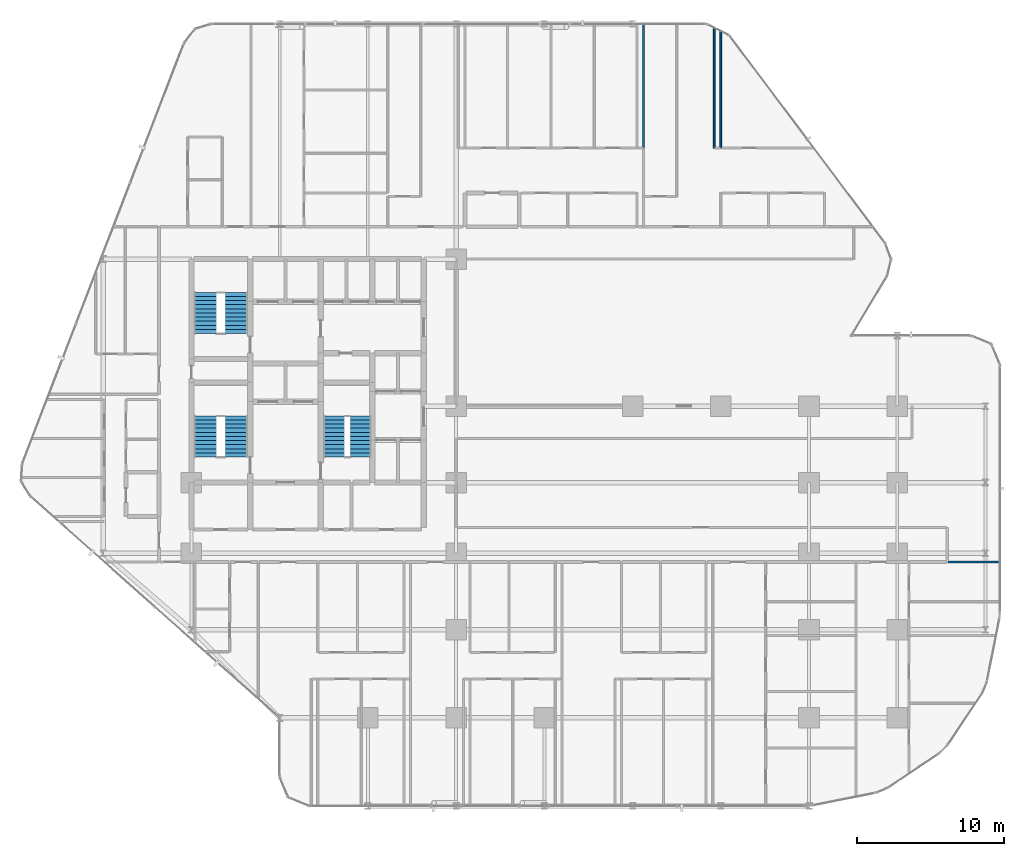
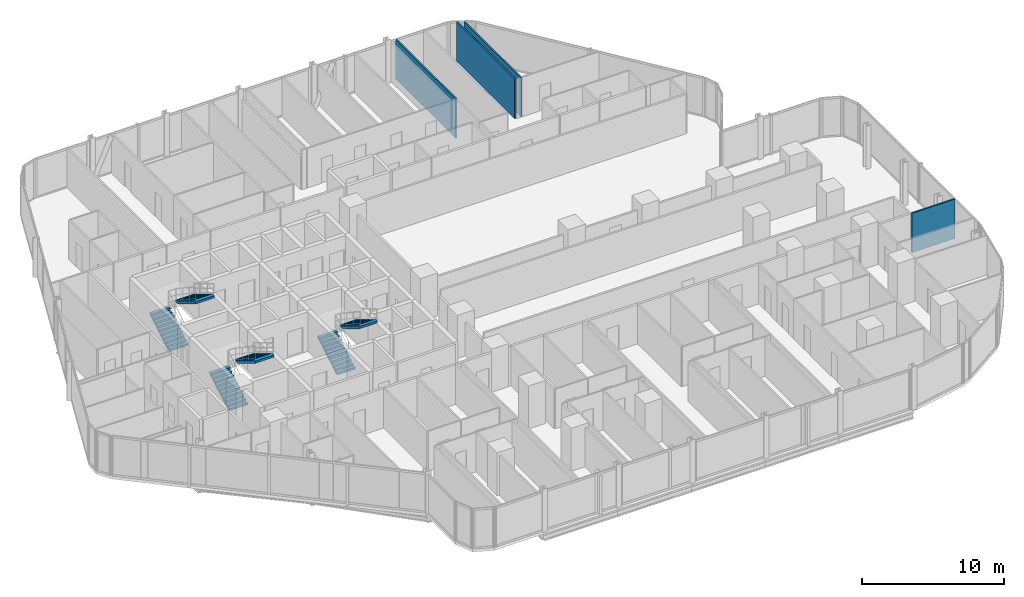
# One storey, part 33 of 35: 6 stair flights, 4 walls, 3 elements without a shape of their own.
"""IFC4 building model written with IfcOpenShell, lengths in metres."""

from ifc_helpers import new_model, si_unit, direction, frame, frame_2d, origin, place, context, subcontext, project, spatial, polyline, rectangle, outline, extrude, material, layer, layer_set, type_object, element, aggregate, save


model = new_model("IFC4")

# Units and contexts
model_context = context("Model", 3, precision=1e-05, world=origin(), true_north=direction((0.0, 1.0)))
body_context = subcontext(model_context, "Body", "Model", "MODEL_VIEW")
ifc_project = project(units=[si_unit("LENGTHUNIT", "METRE"), si_unit("AREAUNIT", "SQUARE_METRE"), si_unit("VOLUMEUNIT", "CUBIC_METRE"), si_unit("PLANEANGLEUNIT", "RADIAN"), si_unit("MASSUNIT", "GRAM", prefix="KILO")], contexts=[model_context])

# Site, building, storey
site_placement = place(None, origin())
site = spatial("IfcSite", under=ifc_project, at=site_placement, CompositionType="ELEMENT")
building_placement = place(site_placement, origin())
building = spatial("IfcBuilding", under=site, at=building_placement, Name="Keshet Zoharim Tower", CompositionType="ELEMENT")
storey_placement = place(building_placement, frame((0.0, 0.0, 24.0)))
storey = spatial("IfcBuildingStorey", under=building, at=storey_placement, Name="L04", CompositionType="ELEMENT", Elevation=24.0)

# Walls
ifc_material_1 = material(Name="Gypsum Plasterboard", Category="gypsum")
ifc_layer_1 = layer(ifc_material_1, 0.1201171875)
ifc_layer_set_1 = layer_set([ifc_layer_1], Name="Gypsum Plasterboard")
wall_type_1 = type_object("IfcWallType", Name="WL-PART-120", PredefinedType="PARTITIONING", material=ifc_layer_set_1)
wall_1_placement = place(storey_placement, frame((45.75, 45.449951171875, 0.0), z_axis=(0.0, 0.0, 1.0), x_axis=(0.0, 1.0, 0.0)))
element("IfcWall", 1, at=wall_1_placement, inside=storey, type_object=wall_type_1, Name="L04 Interior Wall 097", PredefinedType="PARTITIONING", context=body_context, shape_type="SweptSolid", body=[
    extrude(rectangle(XDim=8.43994140625, YDim=0.1201171875, at=frame_2d((4.219970703125, 0.0))), origin(), (0.0, 0.0, 1.0), 3.385009765625),
])
wall_2_placement = place(storey_placement, frame((50.550048828125, 45.449951171875, 0.0), z_axis=(0.0, 0.0, 1.0), x_axis=(0.0, 1.0, 0.0)))
element("IfcWall", 2, at=wall_2_placement, inside=storey, type_object=wall_type_1, Name="L04 Interior Wall 104", PredefinedType="PARTITIONING", context=body_context, shape_type="SweptSolid", body=[
    extrude(rectangle(XDim=8.1650390625, YDim=0.1201171875, at=frame_2d((4.08251953125, 0.0))), origin(), (0.0, 0.0, 1.0), 3.385009765625),
])
wall_3_placement = place(storey_placement, frame((51.0, 45.449951171875, 0.0), z_axis=(0.0, 0.0, 1.0), x_axis=(0.0, 1.0, 0.0)))
element("IfcWall", 3, at=wall_3_placement, inside=storey, type_object=wall_type_1, Name="L04 Interior Wall 106", PredefinedType="PARTITIONING", context=body_context, shape_type="SweptSolid", body=[
    extrude(rectangle(XDim=7.93994140625, YDim=0.1201171875, at=frame_2d((3.969970703125, 0.0))), origin(), (0.0, 0.0, 1.0), 3.385009765625),
])
ifc_layer_2 = layer(ifc_material_1, 0.1201171875)
ifc_layer_set_2 = layer_set([ifc_layer_2], Name="Gypsum Plasterboard")
wall_type_2 = type_object("IfcWallType", Name="WL-WET-120", PredefinedType="PARTITIONING", material=ifc_layer_set_2)
wall_4_placement = place(storey_placement, frame((66.469970703125, 17.300048828125, 0.0), z_axis=(0.0, 0.0, 1.0), x_axis=(1.0, 0.0, 0.0)))
element("IfcWall", 4, at=wall_4_placement, inside=storey, type_object=wall_type_2, Name="L04 Interior Wall 162", PredefinedType="PARTITIONING", context=body_context, shape_type="SweptSolid", body=[
    extrude(rectangle(XDim=3.52001953125, YDim=0.1201171875, at=frame_2d((1.760009765625, 0.0))), origin(), (0.0, 0.0, 1.0), 3.385009765625),
])

# Stair, stair flights
ifc_material_2 = material(Name="Concrete C50/60", Category="concrete")
stair_type = type_object("IfcStairType", Name="STR-EXIT-135", PredefinedType="HALF_TURN_STAIR", material=ifc_material_2)
stair_1_placement = place(storey_placement, origin())
stair_1 = element("IfcStair", 5, at=stair_1_placement, inside=storey, type_object=stair_type, Name="L04 Enclosed Exit Stair ST-01", PredefinedType="HALF_TURN_STAIR")
stair_flight_type_1 = type_object("IfcStairFlightType", Name="FLT-PRE-135", PredefinedType="STRAIGHT", material=ifc_material_2)
stair_flight_1_placement = place(storey_placement, frame((15.945068359375, 24.43994140625, 0.0), z_axis=(0.0, 0.0, 1.0), x_axis=(0.0, 1.0, 0.0)))
stair_flight_1 = element("IfcStairFlight", 6, at=stair_flight_1_placement, type_object=stair_flight_type_1, Name="ST-01 flight 1", NumberOfRisers=11, NumberOfTreads=10, PredefinedType="STRAIGHT", RiserHeight=0.168182, TreadLength=0.28, context=body_context, shape_type="SweptSolid", body=[
    extrude(outline(polyline([(0.0, 0.0), (0.0, 0.168212890625), (0.280029296875, 0.168212890625), (0.280029296875, 0.33642578125), (0.56005859375, 0.33642578125), (0.56005859375, 0.504638671875), (0.840087890625, 0.504638671875), (0.840087890625, 0.672607421875), (1.1201171875, 0.672607421875), (1.1201171875, 0.8408203125), (1.39990234375, 0.8408203125), (1.39990234375, 1.009033203125), (1.679931640625, 1.009033203125), (1.679931640625, 1.17724609375), (1.9599609375, 1.17724609375), (1.9599609375, 1.345458984375), (2.239990234375, 1.345458984375), (2.239990234375, 1.513671875), (2.52001953125, 1.513671875), (2.52001953125, 1.681884765625), (2.800048828125, 1.681884765625), (2.800048828125, 1.85009765625), (2.800048828125, 1.495361328125), (0.310546875, 0.0), (0.0, 0.0)])), frame((0.0, 0.76513671875, 0.0), z_axis=(0.0, -1.0, 0.0), x_axis=(1.0, 0.0, 0.0)), (0.0, 0.0, 1.0), 1.530029296875),
])
stair_flight_2_placement = place(storey_placement, frame((18.054931640625, 27.239990234375, 1.85009765625), z_axis=(0.0, 0.0, 1.0), x_axis=(0.0, -1.0, 0.0)))
stair_flight_2 = element("IfcStairFlight", 7, at=stair_flight_2_placement, type_object=stair_flight_type_1, Name="ST-01 flight 2", NumberOfRisers=11, NumberOfTreads=10, PredefinedType="STRAIGHT", RiserHeight=0.168182, TreadLength=0.28, context=body_context, shape_type="SweptSolid", body=[
    extrude(outline(polyline([(0.0, 0.0), (0.0, 0.168212890625), (0.280029296875, 0.168212890625), (0.280029296875, 0.33642578125), (0.56005859375, 0.33642578125), (0.56005859375, 0.504638671875), (0.840087890625, 0.504638671875), (0.840087890625, 0.672607421875), (1.1201171875, 0.672607421875), (1.1201171875, 0.8408203125), (1.39990234375, 0.8408203125), (1.39990234375, 1.009033203125), (1.679931640625, 1.009033203125), (1.679931640625, 1.17724609375), (1.9599609375, 1.17724609375), (1.9599609375, 1.345458984375), (2.239990234375, 1.345458984375), (2.239990234375, 1.513671875), (2.52001953125, 1.513671875), (2.52001953125, 1.681884765625), (2.800048828125, 1.681884765625), (2.800048828125, 1.85009765625), (2.800048828125, 1.495361328125), (0.310546875, 0.0), (0.0, 0.0)])), frame((0.0, 0.76513671875, 0.0), z_axis=(0.0, -1.0, 0.0), x_axis=(1.0, 0.0, 0.0)), (0.0, 0.0, 1.0), 1.530029296875),
])
aggregate(stair_1, [stair_flight_1, stair_flight_2])

stair_2_placement = place(storey_placement, origin())
stair_2 = element("IfcStair", 8, at=stair_2_placement, inside=storey, type_object=stair_type, Name="L04 Enclosed Exit Stair ST-02", PredefinedType="HALF_TURN_STAIR")
stair_flight_3_placement = place(storey_placement, frame((15.945068359375, 32.840087890625, 0.0), z_axis=(0.0, 0.0, 1.0), x_axis=(0.0, 1.0, 0.0)))
stair_flight_3 = element("IfcStairFlight", 9, at=stair_flight_3_placement, type_object=stair_flight_type_1, Name="ST-02 flight 1", NumberOfRisers=11, NumberOfTreads=10, PredefinedType="STRAIGHT", RiserHeight=0.168182, TreadLength=0.28, context=body_context, shape_type="SweptSolid", body=[
    extrude(outline(polyline([(0.0, 0.0), (0.0, 0.168212890625), (0.280029296875, 0.168212890625), (0.280029296875, 0.33642578125), (0.56005859375, 0.33642578125), (0.56005859375, 0.504638671875), (0.840087890625, 0.504638671875), (0.840087890625, 0.672607421875), (1.1201171875, 0.672607421875), (1.1201171875, 0.8408203125), (1.39990234375, 0.8408203125), (1.39990234375, 1.009033203125), (1.679931640625, 1.009033203125), (1.679931640625, 1.17724609375), (1.9599609375, 1.17724609375), (1.9599609375, 1.345458984375), (2.239990234375, 1.345458984375), (2.239990234375, 1.513671875), (2.52001953125, 1.513671875), (2.52001953125, 1.681884765625), (2.800048828125, 1.681884765625), (2.800048828125, 1.85009765625), (2.800048828125, 1.495361328125), (0.310546875, 0.0), (0.0, 0.0)])), frame((0.0, 0.76513671875, 0.0), z_axis=(0.0, -1.0, 0.0), x_axis=(1.0, 0.0, 0.0)), (0.0, 0.0, 1.0), 1.530029296875),
])
stair_flight_4_placement = place(storey_placement, frame((18.054931640625, 35.639892578125, 1.85009765625), z_axis=(0.0, 0.0, 1.0), x_axis=(0.0, -1.0, 0.0)))
stair_flight_4 = element("IfcStairFlight", 10, at=stair_flight_4_placement, type_object=stair_flight_type_1, Name="ST-02 flight 2", NumberOfRisers=11, NumberOfTreads=10, PredefinedType="STRAIGHT", RiserHeight=0.168182, TreadLength=0.28, context=body_context, shape_type="SweptSolid", body=[
    extrude(outline(polyline([(0.0, 0.0), (0.0, 0.168212890625), (0.280029296875, 0.168212890625), (0.280029296875, 0.33642578125), (0.56005859375, 0.33642578125), (0.56005859375, 0.504638671875), (0.840087890625, 0.504638671875), (0.840087890625, 0.672607421875), (1.1201171875, 0.672607421875), (1.1201171875, 0.8408203125), (1.39990234375, 0.8408203125), (1.39990234375, 1.009033203125), (1.679931640625, 1.009033203125), (1.679931640625, 1.17724609375), (1.9599609375, 1.17724609375), (1.9599609375, 1.345458984375), (2.239990234375, 1.345458984375), (2.239990234375, 1.513671875), (2.52001953125, 1.513671875), (2.52001953125, 1.681884765625), (2.800048828125, 1.681884765625), (2.800048828125, 1.85009765625), (2.800048828125, 1.495361328125), (0.310546875, 0.0), (0.0, 0.0)])), frame((0.0, 0.76513671875, 0.0), z_axis=(0.0, -1.0, 0.0), x_axis=(1.0, 0.0, 0.0)), (0.0, 0.0, 1.0), 1.530029296875),
])
aggregate(stair_2, [stair_flight_3, stair_flight_4])

stair_3_placement = place(storey_placement, origin())
stair_3 = element("IfcStair", 11, at=stair_3_placement, inside=storey, type_object=stair_type, Name="L04 Enclosed Exit Stair ST-03", PredefinedType="HALF_TURN_STAIR")
stair_flight_type_2 = type_object("IfcStairFlightType", Name="FLT-PRE-144", PredefinedType="STRAIGHT", material=ifc_material_2)
stair_flight_5_placement = place(storey_placement, frame((24.699951171875, 24.43994140625, 0.0), z_axis=(0.0, 0.0, 1.0), x_axis=(0.0, 1.0, 0.0)))
stair_flight_5 = element("IfcStairFlight", 12, at=stair_flight_5_placement, type_object=stair_flight_type_2, Name="ST-03 flight 1", NumberOfRisers=11, NumberOfTreads=10, PredefinedType="STRAIGHT", RiserHeight=0.168182, TreadLength=0.28, context=body_context, shape_type="SweptSolid", body=[
    extrude(outline(polyline([(0.0, 0.0), (0.0, 0.168212890625), (0.280029296875, 0.168212890625), (0.280029296875, 0.33642578125), (0.56005859375, 0.33642578125), (0.56005859375, 0.504638671875), (0.840087890625, 0.504638671875), (0.840087890625, 0.672607421875), (1.1201171875, 0.672607421875), (1.1201171875, 0.8408203125), (1.39990234375, 0.8408203125), (1.39990234375, 1.009033203125), (1.679931640625, 1.009033203125), (1.679931640625, 1.17724609375), (1.9599609375, 1.17724609375), (1.9599609375, 1.345458984375), (2.239990234375, 1.345458984375), (2.239990234375, 1.513671875), (2.52001953125, 1.513671875), (2.52001953125, 1.681884765625), (2.800048828125, 1.681884765625), (2.800048828125, 1.85009765625), (2.800048828125, 1.495361328125), (0.310546875, 0.0), (0.0, 0.0)])), frame((0.0, 0.719970703125, 0.0), z_axis=(0.0, -1.0, 0.0), x_axis=(1.0, 0.0, 0.0)), (0.0, 0.0, 1.0), 1.43994140625),
])
stair_flight_6_placement = place(storey_placement, frame((26.5, 27.239990234375, 1.85009765625), z_axis=(0.0, 0.0, 1.0), x_axis=(0.0, -1.0, 0.0)))
stair_flight_6 = element("IfcStairFlight", 13, at=stair_flight_6_placement, type_object=stair_flight_type_2, Name="ST-03 flight 2", NumberOfRisers=11, NumberOfTreads=10, PredefinedType="STRAIGHT", RiserHeight=0.168182, TreadLength=0.28, context=body_context, shape_type="SweptSolid", body=[
    extrude(outline(polyline([(0.0, 0.0), (0.0, 0.168212890625), (0.280029296875, 0.168212890625), (0.280029296875, 0.33642578125), (0.56005859375, 0.33642578125), (0.56005859375, 0.504638671875), (0.840087890625, 0.504638671875), (0.840087890625, 0.672607421875), (1.1201171875, 0.672607421875), (1.1201171875, 0.8408203125), (1.39990234375, 0.8408203125), (1.39990234375, 1.009033203125), (1.679931640625, 1.009033203125), (1.679931640625, 1.17724609375), (1.9599609375, 1.17724609375), (1.9599609375, 1.345458984375), (2.239990234375, 1.345458984375), (2.239990234375, 1.513671875), (2.52001953125, 1.513671875), (2.52001953125, 1.681884765625), (2.800048828125, 1.681884765625), (2.800048828125, 1.85009765625), (2.800048828125, 1.495361328125), (0.310546875, 0.0), (0.0, 0.0)])), frame((0.0, 0.719970703125, 0.0), z_axis=(0.0, -1.0, 0.0), x_axis=(1.0, 0.0, 0.0)), (0.0, 0.0, 1.0), 1.43994140625),
])
aggregate(stair_3, [stair_flight_5, stair_flight_6])

save(model, "model.ifc")
